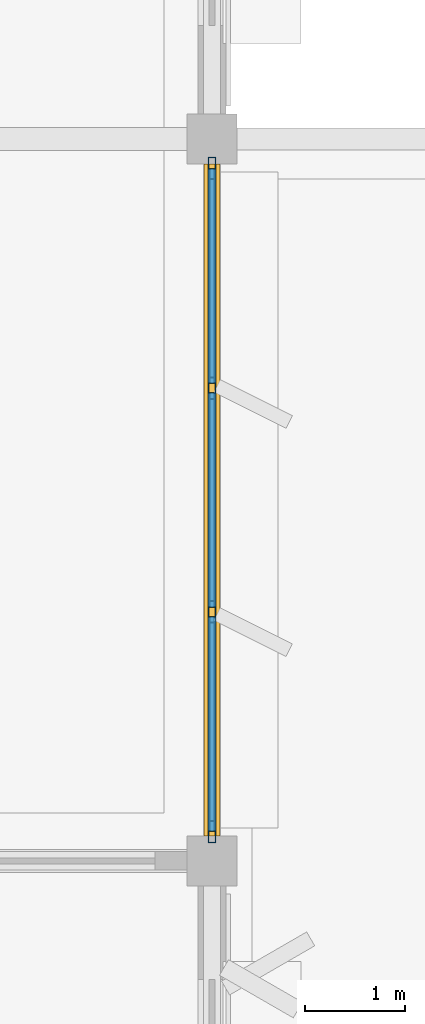
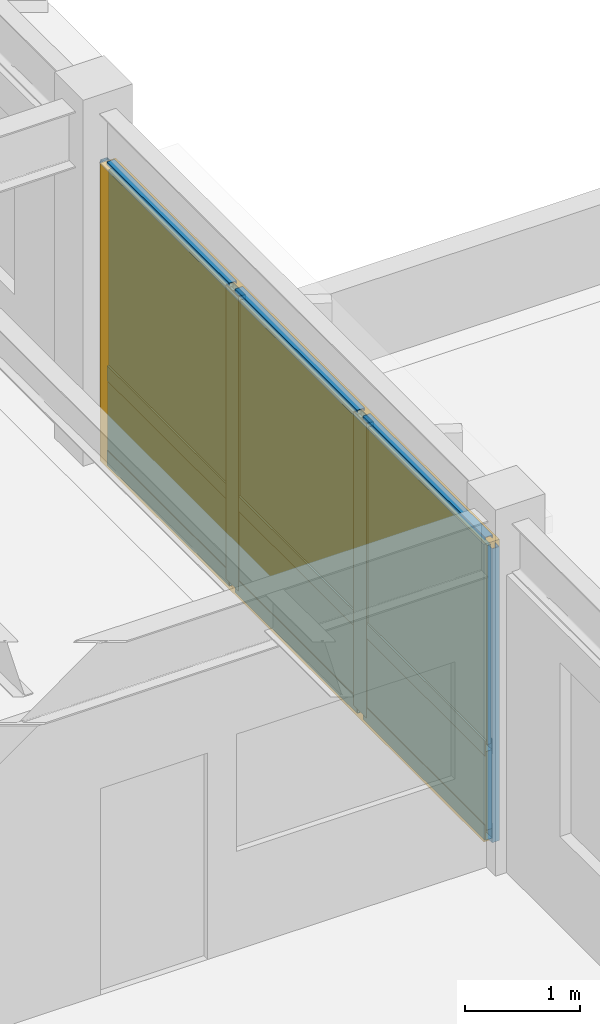
# One storey, part 66 of 82: 13 members, 6 plates, 1 curtain wall.
"""IFC4 building model written with IfcOpenShell, lengths in metres."""

from ifc_helpers import new_model, si_unit, direction, frame, origin, origin_2d, place, context, subcontext, project, spatial, rectangle, hollow_rectangle, extrude, material, layer, layer_set, material_profile, profile_set, type_object, element, aggregate, save


model = new_model("IFC4")

# Units and contexts
model_context = context("Model", 3, precision=1e-05, world=origin(), true_north=direction((0.0, 1.0)))
body_context = subcontext(model_context, "Body", "Model", "MODEL_VIEW")
ifc_project = project(units=[si_unit("LENGTHUNIT", "METRE"), si_unit("AREAUNIT", "SQUARE_METRE"), si_unit("VOLUMEUNIT", "CUBIC_METRE"), si_unit("PLANEANGLEUNIT", "RADIAN"), si_unit("MASSUNIT", "GRAM", prefix="KILO")], contexts=[model_context])

# Member
ifc_material_1 = material(Name="Anodized Aluminium 6063-T6", Category="aluminium")
ifc_material_profile_1 = material_profile(ifc_material_1, hollow_rectangle(XDim=0.074951171875, YDim=0.219970703125, WallThickness=0.0048828125, at=origin_2d()), Name="ALU 75x220x5")
ifc_profile_set_1 = profile_set([ifc_material_profile_1], Name="Anodized Aluminium 6063-T6")
member_type_1 = type_object("IfcMemberType", Name="CWM-75X180", PredefinedType="MULLION", material=ifc_profile_set_1)
site_placement = place(None, origin())
building_placement = place(site_placement, origin())
storey_placement = place(building_placement, frame((0.0, 0.0, 14.10009765625)))
member_1_placement = place(storey_placement, frame((108.0, 93.31005859375, 0.02001953125), z_axis=(0.0, 0.0, 1.0), x_axis=(1.0, 0.0, 0.0)))
member_1 = element("IfcMember", 1, at=member_1_placement, type_object=member_type_1, Name="Curtain wall mullion CW-L04-14-12-E-00", PredefinedType="MULLION", context=body_context, shape_type="SweptSolid", body=[
    extrude(hollow_rectangle(XDim=0.074951171875, YDim=0.219970703125, WallThickness=0.0048828125, at=origin_2d()), origin(), (0.0, 0.0, 1.0), 3.1318359375),
])

member_2_placement = place(storey_placement, frame((108.0, 91.11669921875, 0.02001953125), z_axis=(0.0, 0.0, 1.0), x_axis=(1.0, 0.0, 0.0)))
member_2 = element("IfcMember", 2, at=member_2_placement, type_object=member_type_1, Name="Curtain wall mullion CW-L04-14-12-E-01", PredefinedType="MULLION", context=body_context, shape_type="SweptSolid", body=[
    extrude(hollow_rectangle(XDim=0.074951171875, YDim=0.219970703125, WallThickness=0.0048828125, at=origin_2d()), origin(), (0.0, 0.0, 1.0), 3.1318359375),
])

member_3_placement = place(storey_placement, frame((108.0, 88.88330078125, 0.02001953125), z_axis=(0.0, 0.0, 1.0), x_axis=(1.0, 0.0, 0.0)))
member_3 = element("IfcMember", 3, at=member_3_placement, type_object=member_type_1, Name="Curtain wall mullion CW-L04-14-12-E-02", PredefinedType="MULLION", context=body_context, shape_type="SweptSolid", body=[
    extrude(hollow_rectangle(XDim=0.074951171875, YDim=0.219970703125, WallThickness=0.0048828125, at=origin_2d()), origin(), (0.0, 0.0, 1.0), 3.1318359375),
])

member_4_placement = place(storey_placement, frame((108.0, 86.68994140625, 0.02001953125), z_axis=(0.0, 0.0, 1.0), x_axis=(1.0, 0.0, 0.0)))
member_4 = element("IfcMember", 4, at=member_4_placement, type_object=member_type_1, Name="Curtain wall mullion CW-L04-14-12-E-03", PredefinedType="MULLION", context=body_context, shape_type="SweptSolid", body=[
    extrude(hollow_rectangle(XDim=0.074951171875, YDim=0.219970703125, WallThickness=0.0048828125, at=origin_2d()), origin(), (0.0, 0.0, 1.0), 3.1318359375),
])

ifc_material_profile_2 = material_profile(ifc_material_1, hollow_rectangle(XDim=0.074951171875, YDim=0.159912109375, WallThickness=0.00390625, at=origin_2d()), Name="ALU 75x160x4")
ifc_profile_set_2 = profile_set([ifc_material_profile_2], Name="Anodized Aluminium 6063-T6")
member_type_2 = type_object("IfcMemberType", Name="CWT-75X150", PredefinedType="USERDEFINED", material=ifc_profile_set_2)
member_5_placement = place(storey_placement, frame((108.0, 93.300048828125, 0.0498046875), z_axis=(0.0, -1.0, 0.0), x_axis=(1.0, 0.0, 0.0)))
member_5 = element("IfcMember", 5, at=member_5_placement, type_object=member_type_2, Name="Curtain wall transom CW-L04-14-12-E-1.01", ObjectType="TRANSOM", PredefinedType="USERDEFINED", context=body_context, shape_type="SweptSolid", body=[
    extrude(hollow_rectangle(XDim=0.074951171875, YDim=0.159912109375, WallThickness=0.00390625, at=origin_2d()), origin(), (0.0, 0.0, 1.0), 2.13330078125),
])

member_6_placement = place(storey_placement, frame((108.0, 91.066650390625, 0.0498046875), z_axis=(0.0, -1.0, 0.0), x_axis=(1.0, 0.0, 0.0)))
member_6 = element("IfcMember", 6, at=member_6_placement, type_object=member_type_2, Name="Curtain wall transom CW-L04-14-12-E-1.02", ObjectType="TRANSOM", PredefinedType="USERDEFINED", context=body_context, shape_type="SweptSolid", body=[
    extrude(hollow_rectangle(XDim=0.074951171875, YDim=0.159912109375, WallThickness=0.00390625, at=origin_2d()), origin(), (0.0, 0.0, 1.0), 2.13330078125),
])

member_7_placement = place(storey_placement, frame((108.0, 88.833251953125, 0.0498046875), z_axis=(0.0, -1.0, 0.0), x_axis=(1.0, 0.0, 0.0)))
member_7 = element("IfcMember", 7, at=member_7_placement, type_object=member_type_2, Name="Curtain wall transom CW-L04-14-12-E-1.03", ObjectType="TRANSOM", PredefinedType="USERDEFINED", context=body_context, shape_type="SweptSolid", body=[
    extrude(hollow_rectangle(XDim=0.074951171875, YDim=0.159912109375, WallThickness=0.00390625, at=origin_2d()), origin(), (0.0, 0.0, 1.0), 2.13330078125),
])

member_8_placement = place(storey_placement, frame((108.0, 93.300048828125, 0.949951171875), z_axis=(0.0, -1.0, 0.0), x_axis=(1.0, 0.0, 0.0)))
member_8 = element("IfcMember", 8, at=member_8_placement, type_object=member_type_2, Name="Curtain wall transom CW-L04-14-12-E-2.01", ObjectType="TRANSOM", PredefinedType="USERDEFINED", context=body_context, shape_type="SweptSolid", body=[
    extrude(hollow_rectangle(XDim=0.074951171875, YDim=0.159912109375, WallThickness=0.00390625, at=origin_2d()), origin(), (0.0, 0.0, 1.0), 2.13330078125),
])

member_9_placement = place(storey_placement, frame((108.0, 91.066650390625, 0.949951171875), z_axis=(0.0, -1.0, 0.0), x_axis=(1.0, 0.0, 0.0)))
member_9 = element("IfcMember", 9, at=member_9_placement, type_object=member_type_2, Name="Curtain wall transom CW-L04-14-12-E-2.02", ObjectType="TRANSOM", PredefinedType="USERDEFINED", context=body_context, shape_type="SweptSolid", body=[
    extrude(hollow_rectangle(XDim=0.074951171875, YDim=0.159912109375, WallThickness=0.00390625, at=origin_2d()), origin(), (0.0, 0.0, 1.0), 2.13330078125),
])

member_10_placement = place(storey_placement, frame((108.0, 88.833251953125, 0.949951171875), z_axis=(0.0, -1.0, 0.0), x_axis=(1.0, 0.0, 0.0)))
member_10 = element("IfcMember", 10, at=member_10_placement, type_object=member_type_2, Name="Curtain wall transom CW-L04-14-12-E-2.03", ObjectType="TRANSOM", PredefinedType="USERDEFINED", context=body_context, shape_type="SweptSolid", body=[
    extrude(hollow_rectangle(XDim=0.074951171875, YDim=0.159912109375, WallThickness=0.00390625, at=origin_2d()), origin(), (0.0, 0.0, 1.0), 2.13330078125),
])

member_11_placement = place(storey_placement, frame((108.0, 93.300048828125, 3.121826171875), z_axis=(0.0, -1.0, 0.0), x_axis=(1.0, 0.0, 0.0)))
member_11 = element("IfcMember", 11, at=member_11_placement, type_object=member_type_2, Name="Curtain wall transom CW-L04-14-12-E-3.01", ObjectType="TRANSOM", PredefinedType="USERDEFINED", context=body_context, shape_type="SweptSolid", body=[
    extrude(hollow_rectangle(XDim=0.074951171875, YDim=0.159912109375, WallThickness=0.00390625, at=origin_2d()), origin(), (0.0, 0.0, 1.0), 2.13330078125),
])

member_12_placement = place(storey_placement, frame((108.0, 91.066650390625, 3.121826171875), z_axis=(0.0, -1.0, 0.0), x_axis=(1.0, 0.0, 0.0)))
member_12 = element("IfcMember", 12, at=member_12_placement, type_object=member_type_2, Name="Curtain wall transom CW-L04-14-12-E-3.02", ObjectType="TRANSOM", PredefinedType="USERDEFINED", context=body_context, shape_type="SweptSolid", body=[
    extrude(hollow_rectangle(XDim=0.074951171875, YDim=0.159912109375, WallThickness=0.00390625, at=origin_2d()), origin(), (0.0, 0.0, 1.0), 2.13330078125),
])

member_13_placement = place(storey_placement, frame((108.0, 88.833251953125, 3.121826171875), z_axis=(0.0, -1.0, 0.0), x_axis=(1.0, 0.0, 0.0)))
member_13 = element("IfcMember", 13, at=member_13_placement, type_object=member_type_2, Name="Curtain wall transom CW-L04-14-12-E-3.03", ObjectType="TRANSOM", PredefinedType="USERDEFINED", context=body_context, shape_type="SweptSolid", body=[
    extrude(hollow_rectangle(XDim=0.074951171875, YDim=0.159912109375, WallThickness=0.00390625, at=origin_2d()), origin(), (0.0, 0.0, 1.0), 2.13330078125),
])

# Plate
ifc_material_2 = material(Name="Acoustic Laminated Low-E Glazing", Category="glass")
ifc_layer_1 = layer(ifc_material_2, 0.0439453125)
ifc_layer_set_1 = layer_set([ifc_layer_1], Name="Acoustic Laminated Low-E Glazing")
plate_type_1 = type_object("IfcPlateType", Name="CWP-IGU-44", PredefinedType="CURTAIN_PANEL", material=ifc_layer_set_1)
plate_1_placement = place(storey_placement, frame((108.0, 92.2333984375, 0.98974609375), z_axis=(0.0, 0.0, 1.0), x_axis=(0.0, -1.0, 0.0)))
plate_1 = element("IfcPlate", 14, at=plate_1_placement, type_object=plate_type_1, Name="Curtain wall vision glazing CW-L04-14-12-E-01", PredefinedType="CURTAIN_PANEL", context=body_context, shape_type="SweptSolid", body=[
    extrude(rectangle(XDim=2.143310546875, YDim=0.0400390625, at=origin_2d()), origin(), (0.0, 0.0, 1.0), 2.1220703125),
])

plate_2_placement = place(storey_placement, frame((108.0, 90.0, 0.98974609375), z_axis=(0.0, 0.0, 1.0), x_axis=(0.0, -1.0, 0.0)))
plate_2 = element("IfcPlate", 15, at=plate_2_placement, type_object=plate_type_1, Name="Curtain wall vision glazing CW-L04-14-12-E-02", PredefinedType="CURTAIN_PANEL", context=body_context, shape_type="SweptSolid", body=[
    extrude(rectangle(XDim=2.143310546875, YDim=0.0400390625, at=origin_2d()), origin(), (0.0, 0.0, 1.0), 2.1220703125),
])

plate_3_placement = place(storey_placement, frame((108.0, 87.7666015625, 0.98974609375), z_axis=(0.0, 0.0, 1.0), x_axis=(0.0, -1.0, 0.0)))
plate_3 = element("IfcPlate", 16, at=plate_3_placement, type_object=plate_type_1, Name="Curtain wall vision glazing CW-L04-14-12-E-03", PredefinedType="CURTAIN_PANEL", context=body_context, shape_type="SweptSolid", body=[
    extrude(rectangle(XDim=2.143310546875, YDim=0.0400390625, at=origin_2d()), origin(), (0.0, 0.0, 1.0), 2.1220703125),
])

ifc_material_3 = material(Name="Insulated Stone-Composite Spandrel", Category="masonry")
ifc_layer_2 = layer(ifc_material_3, 0.068115234375)
ifc_layer_set_2 = layer_set([ifc_layer_2], Name="Insulated Stone-Composite Spandrel")
plate_type_2 = type_object("IfcPlateType", Name="CWP-SPN-68", PredefinedType="CURTAIN_PANEL", material=ifc_layer_set_2)
plate_4_placement = place(storey_placement, frame((108.0, 92.2333984375, 0.080078125), z_axis=(0.0, 0.0, 1.0), x_axis=(0.0, -1.0, 0.0)))
plate_4 = element("IfcPlate", 17, at=plate_4_placement, type_object=plate_type_2, Name="Curtain wall spandrel panel CW-L04-14-12-E-01", PredefinedType="CURTAIN_PANEL", context=body_context, shape_type="SweptSolid", body=[
    extrude(rectangle(XDim=2.143310546875, YDim=0.06005859375, at=origin_2d()), origin(), (0.0, 0.0, 1.0), 0.840087890625),
])

plate_5_placement = place(storey_placement, frame((108.0, 90.0, 0.080078125), z_axis=(0.0, 0.0, 1.0), x_axis=(0.0, -1.0, 0.0)))
plate_5 = element("IfcPlate", 18, at=plate_5_placement, type_object=plate_type_2, Name="Curtain wall spandrel panel CW-L04-14-12-E-02", PredefinedType="CURTAIN_PANEL", context=body_context, shape_type="SweptSolid", body=[
    extrude(rectangle(XDim=2.143310546875, YDim=0.06005859375, at=origin_2d()), origin(), (0.0, 0.0, 1.0), 0.840087890625),
])

plate_6_placement = place(storey_placement, frame((108.0, 87.7666015625, 0.080078125), z_axis=(0.0, 0.0, 1.0), x_axis=(0.0, -1.0, 0.0)))
plate_6 = element("IfcPlate", 19, at=plate_6_placement, type_object=plate_type_2, Name="Curtain wall spandrel panel CW-L04-14-12-E-03", PredefinedType="CURTAIN_PANEL", context=body_context, shape_type="SweptSolid", body=[
    extrude(rectangle(XDim=2.143310546875, YDim=0.06005859375, at=origin_2d()), origin(), (0.0, 0.0, 1.0), 0.840087890625),
])

# Site, building, storey
site = spatial("IfcSite", under=ifc_project, at=site_placement, CompositionType="ELEMENT")
building = spatial("IfcBuilding", under=site, at=building_placement, Name="Sillqori Civic Hall", CompositionType="ELEMENT")
storey = spatial("IfcBuildingStorey", under=building, at=storey_placement, Name="L04", CompositionType="ELEMENT", Elevation=14.10009765625)

# Curtain wall
ifc_material_4 = material(Name="Anodized Aluminium Curtain Wall System", Category="aluminium")
curtain_wall_type = type_object("IfcCurtainWallType", Name="CW-AD-370", PredefinedType="NOTDEFINED", material=ifc_material_4)
curtain_wall_placement = place(storey_placement, frame((108.0, 90.0, 0.0), z_axis=(0.0, 0.0, 1.0), x_axis=(0.0, -1.0, 0.0)))
curtain_wall = element("IfcCurtainWall", 20, at=curtain_wall_placement, inside=storey, type_object=curtain_wall_type, Name="L04 unitised curtain wall CW-L04-14-12-E", PredefinedType="NOTDEFINED", context=body_context, shape_type="SweptSolid", body=[
    extrude(rectangle(XDim=6.699951171875, YDim=0.159912109375, at=origin_2d()), origin(), (0.0, 0.0, 1.0), 3.172119140625),
])

aggregate(curtain_wall, [member_1, member_2, member_3, member_4, member_5, member_6, member_7, member_8, member_9, member_10, member_11, member_12, member_13, plate_4, plate_1, plate_5, plate_2, plate_6, plate_3])

save(model, "model.ifc")
